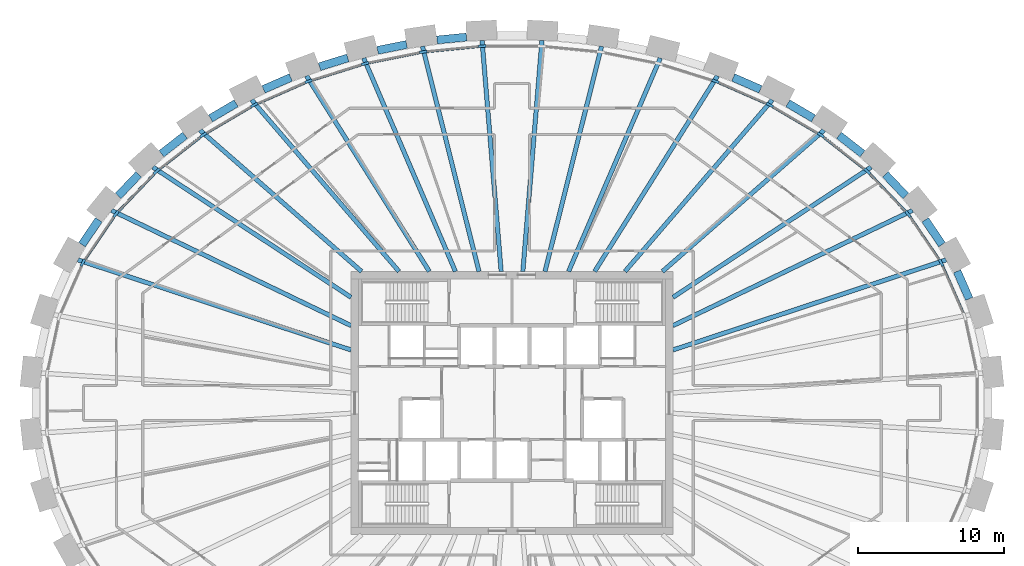
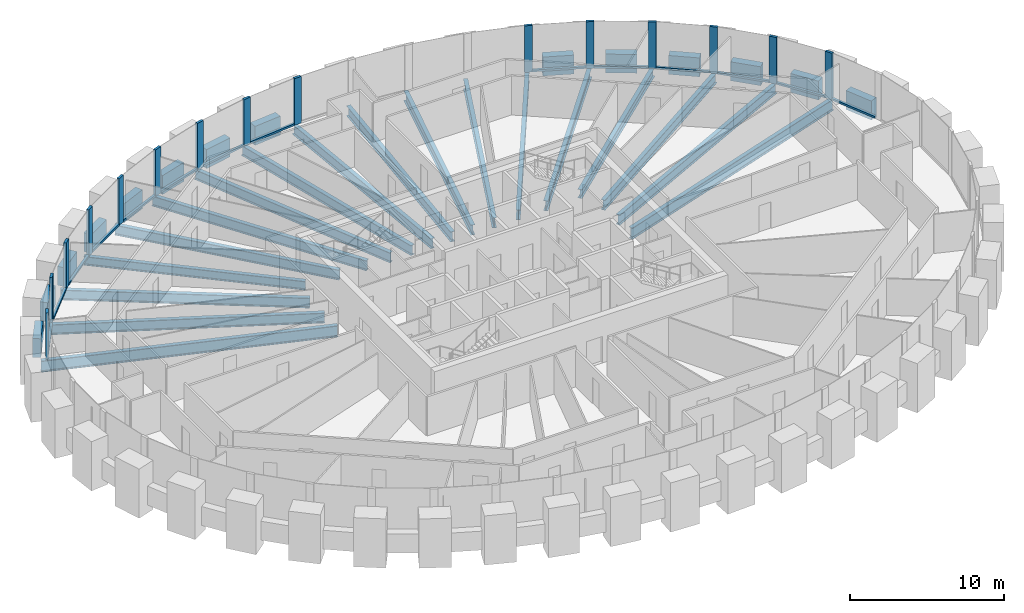
# One storey, part 3 of 12: 32 beams, 29 members, 1 element without a shape of its own.
"""IFC4 building model written with IfcOpenShell, lengths in metres."""

from ifc_helpers import new_model, si_unit, direction, frame, origin, origin_2d, place, context, subcontext, project, spatial, rectangle, i_section, extrude, source, transform, mapped, material, material_profile, profile_set, type_object, element, aggregate, save


model = new_model("IFC4")

# Units and contexts
model_context = context("Model", 3, precision=1e-05, world=origin(), true_north=direction((0.0, 1.0)))
body_context = subcontext(model_context, "Body", "Model", "MODEL_VIEW")
ifc_project = project(units=[si_unit("LENGTHUNIT", "METRE"), si_unit("AREAUNIT", "SQUARE_METRE"), si_unit("VOLUMEUNIT", "CUBIC_METRE"), si_unit("PLANEANGLEUNIT", "RADIAN"), si_unit("MASSUNIT", "GRAM", prefix="KILO")], contexts=[model_context])

# Site, building, storey
site_placement = place(None, origin())
site = spatial("IfcSite", under=ifc_project, at=site_placement, CompositionType="ELEMENT")
building_placement = place(site_placement, origin())
building = spatial("IfcBuilding", under=site, at=building_placement, Name="Embergate Tower", CompositionType="ELEMENT")
storey_placement = place(building_placement, frame((0.0, 0.0, 261.699951171875)))
storey = spatial("IfcBuildingStorey", under=building, at=storey_placement, Name="L60", CompositionType="ELEMENT", Elevation=261.699951171875)

# Beams
ifc_material_1 = material(Name="Concrete C60", Category="concrete")
ifc_material_profile_1 = material_profile(ifc_material_1, rectangle(XDim=0.550048828125, YDim=1.5, at=origin_2d()), Name="RC 550x1500")
ifc_profile_set_1 = profile_set([ifc_material_profile_1], Name="Concrete C60")
beam_type_1 = type_object("IfcBeamType", Name="Spandrel beam RC 550x1500 C60", PredefinedType="BEAM", material=ifc_profile_set_1)
shared_shape_1 = source(origin(), body_context, "Body", "SweptSolid", [
    extrude(rectangle(XDim=0.550048828125, YDim=1.5, at=origin_2d()), origin(), (0.0, 0.0, 1.0), 2.054443359375),
])
beam_1_placement = place(storey_placement, frame((31.264892578125, 7.126953125, 0.0), z_axis=(-0.402021652571, 0.915630160526, 0.0), x_axis=(-0.915630160526, -0.402021652571, 0.0)))
element("IfcBeam", 1, at=beam_1_placement, inside=storey, type_object=beam_type_1, Name="SPN-L60-01", PredefinedType="BEAM", context=body_context, shape_type="MappedRepresentation", body=[
    mapped(shared_shape_1, transform((0.0, 0.0, 0.0))),
])
shared_shape_2 = source(origin(), body_context, "Body", "SweptSolid", [
    extrude(rectangle(XDim=0.550048828125, YDim=1.5, at=origin_2d()), origin(), (0.0, 0.0, 1.0), 2.046630859375),
])
for number, where, z_axis, x_axis, name in (
    (2, (29.405029296875, 10.8359375, 0.0), (-0.562466632366, 0.826819984927, 0.0), (-0.826819984927, -0.562466632366, 0.0), "SPN-L60-02"),
    (3, (-28.25390625, 12.528076171875, 0.0), (-0.562466632366, -0.826819984927, 0.0), (0.826819984927, -0.562466632366, 0.0), "SPN-L60-18"),
):
    element("IfcBeam", number, at=place(storey_placement, frame(where, z_axis=z_axis, x_axis=x_axis)), inside=storey, type_object=beam_type_1, Name=name, PredefinedType="BEAM", context=body_context, shape_type="MappedRepresentation", body=[
        mapped(shared_shape_2, transform((0.0, 0.0, 0.0))),
    ])
shared_shape_3 = source(origin(), body_context, "Body", "SweptSolid", [
    extrude(rectangle(XDim=0.550048828125, YDim=1.5, at=origin_2d()), origin(), (0.0, 0.0, 1.0), 2.042724609375),
])
for number, where, z_axis, x_axis, name in (
    (4, (26.93505859375, 14.160888671875, 0.0), (-0.690299494905, 0.723523743448, 0.0), (-0.723523743448, -0.690299494905, 0.0), "SPN-L60-03"),
    (5, (-25.52490234375, 15.638916015625, 0.0), (-0.690299494905, -0.723523743448, 0.0), (0.723523743448, -0.690299494905, 0.0), "SPN-L60-17"),
):
    element("IfcBeam", number, at=place(storey_placement, frame(where, z_axis=z_axis, x_axis=x_axis)), inside=storey, type_object=beam_type_1, Name=name, PredefinedType="BEAM", context=body_context, shape_type="MappedRepresentation", body=[
        mapped(shared_shape_3, transform((0.0, 0.0, 0.0))),
    ])
shared_shape_4 = source(origin(), body_context, "Body", "SweptSolid", [
    extrude(rectangle(XDim=0.550048828125, YDim=1.5, at=origin_2d()), origin(), (0.0, 0.0, 1.0), 2.038330078125),
])
for number, where, z_axis, x_axis, name in (
    (6, (23.968994140625, 17.049072265625, 0.0), (-0.78838379352, 0.615183707615, 0.0), (-0.615183707615, -0.78838379352, 0.0), "SPN-L60-04"),
    (7, (-22.362060546875, 18.302978515625, 0.0), (-0.78838379352, -0.615183707615, 0.0), (0.615183707615, -0.78838379352, 0.0), "SPN-L60-16"),
):
    element("IfcBeam", number, at=place(storey_placement, frame(where, z_axis=z_axis, x_axis=x_axis)), inside=storey, type_object=beam_type_1, Name=name, PredefinedType="BEAM", context=body_context, shape_type="MappedRepresentation", body=[
        mapped(shared_shape_4, transform((0.0, 0.0, 0.0))),
    ])
shared_shape_5 = source(origin(), body_context, "Body", "SweptSolid", [
    extrude(rectangle(XDim=0.550048828125, YDim=1.5, at=origin_2d()), origin(), (0.0, 0.0, 1.0), 2.0322265625),
])
for number, where, z_axis, x_axis, name in (
    (8, (20.614013671875, 19.467041015625, 0.0), (-0.862048455152, 0.50682586849, 0.0), (-0.50682586849, -0.862048455152, 0.0), "SPN-L60-05"),
    (9, (-18.862060546875, 20.4970703125, 0.0), (-0.862048455152, -0.50682586849, 0.0), (0.50682586849, -0.862048455152, 0.0), "SPN-L60-15"),
):
    element("IfcBeam", number, at=place(storey_placement, frame(where, z_axis=z_axis, x_axis=x_axis)), inside=storey, type_object=beam_type_1, Name=name, PredefinedType="BEAM", context=body_context, shape_type="MappedRepresentation", body=[
        mapped(shared_shape_5, transform((0.0, 0.0, 0.0))),
    ])
shared_shape_6 = source(origin(), body_context, "Body", "SweptSolid", [
    extrude(rectangle(XDim=0.550048828125, YDim=1.5, at=origin_2d()), origin(), (0.0, 0.0, 1.0), 2.03076171875),
])
for number, where, z_axis, x_axis, name in (
    (10, (16.991943359375, 21.451904296875, 0.0), (-0.916361402872, 0.400352069216, 0.0), (-0.400352069216, -0.916361402872, 0.0), "SPN-L60-06"),
    (11, (-15.131103515625, 22.264892578125, 0.0), (-0.916361402872, -0.400352069216, 0.0), (0.400352069216, -0.916361402872, 0.0), "SPN-L60-14"),
):
    element("IfcBeam", number, at=place(storey_placement, frame(where, z_axis=z_axis, x_axis=x_axis)), inside=storey, type_object=beam_type_1, Name=name, PredefinedType="BEAM", context=body_context, shape_type="MappedRepresentation", body=[
        mapped(shared_shape_6, transform((0.0, 0.0, 0.0))),
    ])
shared_shape_7 = source(origin(), body_context, "Body", "SweptSolid", [
    extrude(rectangle(XDim=0.550048828125, YDim=1.5, at=origin_2d()), origin(), (0.0, 0.0, 1.0), 2.02880859375),
])
beam_2_placement = place(storey_placement, frame((-11.22705078125, 23.60205078125, 0.0), z_axis=(-0.954800624546, -0.297246980417, 0.0), x_axis=(0.297246980417, -0.954800624546, 0.0)))
element("IfcBeam", 12, at=beam_2_placement, inside=storey, type_object=beam_type_1, Name="SPN-L60-13", PredefinedType="BEAM", context=body_context, shape_type="MappedRepresentation", body=[
    mapped(shared_shape_7, transform((0.0, 0.0, 0.0))),
])
shared_shape_8 = source(origin(), body_context, "Body", "SweptSolid", [
    extrude(rectangle(XDim=0.550048828125, YDim=1.5, at=origin_2d()), origin(), (0.0, 0.0, 1.0), 2.02734375),
])
beam_3_placement = place(storey_placement, frame((-7.2041015625, 24.52001953125, 0.0), z_axis=(-0.980543602706, -0.196301409041, 0.0), x_axis=(0.196301409041, -0.980543602706, 0.0)))
element("IfcBeam", 13, at=beam_3_placement, inside=storey, type_object=beam_type_1, Name="SPN-L60-12", PredefinedType="BEAM", context=body_context, shape_type="MappedRepresentation", body=[
    mapped(shared_shape_8, transform((0.0, 0.0, 0.0))),
])
shared_shape_9 = source(origin(), body_context, "Body", "SweptSolid", [
    extrude(rectangle(XDim=0.550048828125, YDim=1.5, at=origin_2d()), origin(), (0.0, 0.0, 1.0), 2.025634765625),
])
beam_4_placement = place(storey_placement, frame((-3.111083984375, 25.028076171875, 0.0), z_axis=(-0.995211067802, -0.097749324935, 0.0), x_axis=(0.097749324935, -0.995211067802, 0.0)))
element("IfcBeam", 14, at=beam_4_placement, inside=storey, type_object=beam_type_1, Name="SPN-L60-11", PredefinedType="BEAM", context=body_context, shape_type="MappedRepresentation", body=[
    mapped(shared_shape_9, transform((0.0, 0.0, 0.0))),
])
ifc_material_2 = material(Name="Steel Q355B", Category="steel")
ifc_material_profile_2 = material_profile(ifc_material_2, i_section(OverallWidth=0.300048828125, OverallDepth=0.89990234375, WebThickness=0.01611328125, FlangeThickness=0.028076171875, FilletRadius=0.028076171875, at=origin_2d()), Name="HN 900x300x16x28")
ifc_profile_set_2 = profile_set([ifc_material_profile_2], Name="Steel Q355 grade B")
beam_type_2 = type_object("IfcBeamType", Name="Radial girder HN 900x300x16x28", PredefinedType="BEAM", material=ifc_profile_set_2)
shared_shape_10 = source(origin(), body_context, "Body", "SweptSolid", [
    extrude(i_section(OverallWidth=0.300048828125, OverallDepth=0.89990234375, WebThickness=0.01611328125, FlangeThickness=0.028076171875, FilletRadius=0.028076171875, at=origin_2d()), origin(), (0.0, 0.0, 1.0), 19.67578125),
])
for number, where, z_axis, x_axis, name in (
    (15, (29.68603515625, 9.7900390625, -0.64990234375), (-0.949693396369, -0.313181182215, 0.0), (0.313181182215, -0.949693396369, 0.0), "GIR-L60-02"),
    (16, (-29.68603515625, 9.7900390625, -0.64990234375), (0.949693396369, -0.313181182215, 0.0), (0.313181182215, 0.949693396369, 0.0), "GIR-L60-19"),
):
    element("IfcBeam", number, at=place(storey_placement, frame(where, z_axis=z_axis, x_axis=x_axis)), inside=storey, type_object=beam_type_2, Name=name, PredefinedType="BEAM", context=body_context, shape_type="MappedRepresentation", body=[
        mapped(shared_shape_10, transform((0.0, 0.0, 0.0))),
    ])
ifc_material_profile_3 = material_profile(ifc_material_2, i_section(OverallWidth=0.300048828125, OverallDepth=0.800048828125, WebThickness=0.013916015625, FlangeThickness=0.02587890625, FilletRadius=0.028076171875, at=origin_2d()), Name="HN 800x300x14x26")
ifc_profile_set_3 = profile_set([ifc_material_profile_3], Name="Steel Q355 grade B")
beam_type_3 = type_object("IfcBeamType", Name="Radial girder HN 800x300x14x26", PredefinedType="BEAM", material=ifc_profile_set_3)
shared_shape_11 = source(origin(), body_context, "Body", "SweptSolid", [
    extrude(i_section(OverallWidth=0.300048828125, OverallDepth=0.800048828125, WebThickness=0.013916015625, FlangeThickness=0.02587890625, FilletRadius=0.028076171875, at=origin_2d()), origin(), (0.0, 0.0, 1.0), 18.182373046875),
])
for number, where, z_axis, x_axis, name in (
    (17, (27.385009765625, 13.174072265625, -0.599853515625), (-0.901152068073, -0.433503114415, 0.0), (0.433503114415, -0.901152068073, 0.0), "GIR-L60-03"),
    (18, (-27.385009765625, 13.174072265625, -0.599853515625), (0.901152068073, -0.433503114415, 0.0), (0.433503114415, 0.901152068073, 0.0), "GIR-L60-18"),
):
    element("IfcBeam", number, at=place(storey_placement, frame(where, z_axis=z_axis, x_axis=x_axis)), inside=storey, type_object=beam_type_3, Name=name, PredefinedType="BEAM", context=body_context, shape_type="MappedRepresentation", body=[
        mapped(shared_shape_11, transform((0.0, 0.0, 0.0))),
    ])
shared_shape_12 = source(origin(), body_context, "Body", "SweptSolid", [
    extrude(i_section(OverallWidth=0.300048828125, OverallDepth=0.800048828125, WebThickness=0.013916015625, FlangeThickness=0.02587890625, FilletRadius=0.028076171875, at=origin_2d()), origin(), (0.0, 0.0, 1.0), 16.224853515625),
])
for number, where, z_axis, x_axis, name in (
    (19, (24.56005859375, 16.135986328125, -0.599853515625), (-0.83576092079, -0.549093510506, 0.0), (0.549093510506, -0.83576092079, 0.0), "GIR-L60-04"),
    (20, (-24.56005859375, 16.135986328125, -0.599853515625), (0.83576092079, -0.549093510506, 0.0), (0.549093510506, 0.83576092079, 0.0), "GIR-L60-17"),
):
    element("IfcBeam", number, at=place(storey_placement, frame(where, z_axis=z_axis, x_axis=x_axis)), inside=storey, type_object=beam_type_3, Name=name, PredefinedType="BEAM", context=body_context, shape_type="MappedRepresentation", body=[
        mapped(shared_shape_12, transform((0.0, 0.0, 0.0))),
    ])
ifc_material_profile_4 = material_profile(ifc_material_2, i_section(OverallWidth=0.300048828125, OverallDepth=0.699951171875, WebThickness=0.012939453125, FlangeThickness=0.02392578125, FilletRadius=0.01806640625, at=origin_2d()), Name="HN 700x300x13x24")
ifc_profile_set_4 = profile_set([ifc_material_profile_4], Name="Steel Q355 grade B")
beam_type_4 = type_object("IfcBeamType", Name="Radial girder HN 700x300x13x24", PredefinedType="BEAM", material=ifc_profile_set_4)
shared_shape_13 = source(origin(), body_context, "Body", "SweptSolid", [
    extrude(i_section(OverallWidth=0.300048828125, OverallDepth=0.699951171875, WebThickness=0.012939453125, FlangeThickness=0.02392578125, FilletRadius=0.01806640625, at=origin_2d()), origin(), (0.0, 0.0, 1.0), 14.66845703125),
])
for number, where, z_axis, x_axis, name in (
    (21, (21.3330078125, 18.656005859375, -0.550048828125), (-0.752770497305, -0.658283053395, 0.0), (0.658283053395, -0.752770497305, 0.0), "GIR-L60-05"),
    (22, (-21.3330078125, 18.656005859375, -0.550048828125), (0.752770497305, -0.658283053395, 0.0), (0.658283053395, 0.752770497305, 0.0), "GIR-L60-16"),
):
    element("IfcBeam", number, at=place(storey_placement, frame(where, z_axis=z_axis, x_axis=x_axis)), inside=storey, type_object=beam_type_4, Name=name, PredefinedType="BEAM", context=body_context, shape_type="MappedRepresentation", body=[
        mapped(shared_shape_13, transform((0.0, 0.0, 0.0))),
    ])
shared_shape_14 = source(origin(), body_context, "Body", "SweptSolid", [
    extrude(i_section(OverallWidth=0.300048828125, OverallDepth=0.800048828125, WebThickness=0.013916015625, FlangeThickness=0.02587890625, FilletRadius=0.028076171875, at=origin_2d()), origin(), (0.0, 0.0, 1.0), 15.462890625),
])
for number, where, z_axis, x_axis, name in (
    (23, (17.802978515625, 20.73095703125, -0.599853515625), (-0.651494533004, -0.75865332891, 0.0), (0.75865332891, -0.651494533004, 0.0), "GIR-L60-06"),
    (24, (-17.802978515625, 20.73095703125, -0.599853515625), (0.651494533004, -0.75865332891, 0.0), (0.75865332891, 0.651494533004, 0.0), "GIR-L60-15"),
):
    element("IfcBeam", number, at=place(storey_placement, frame(where, z_axis=z_axis, x_axis=x_axis)), inside=storey, type_object=beam_type_3, Name=name, PredefinedType="BEAM", context=body_context, shape_type="MappedRepresentation", body=[
        mapped(shared_shape_14, transform((0.0, 0.0, 0.0))),
    ])
shared_shape_15 = source(origin(), body_context, "Body", "SweptSolid", [
    extrude(i_section(OverallWidth=0.300048828125, OverallDepth=0.800048828125, WebThickness=0.013916015625, FlangeThickness=0.02587890625, FilletRadius=0.028076171875, at=origin_2d()), origin(), (0.0, 0.0, 1.0), 15.791015625),
])
for number, where, z_axis, x_axis, name in (
    (25, (14.051025390625, 22.3720703125, -0.599853515625), (-0.531882110567, -0.846818410557, 0.0), (0.846818410557, -0.531882110567, 0.0), "GIR-L60-07"),
    (26, (-14.051025390625, 22.3720703125, -0.599853515625), (0.531882110567, -0.846818410557, 0.0), (0.846818410557, 0.531882110567, 0.0), "GIR-L60-14"),
):
    element("IfcBeam", number, at=place(storey_placement, frame(where, z_axis=z_axis, x_axis=x_axis)), inside=storey, type_object=beam_type_3, Name=name, PredefinedType="BEAM", context=body_context, shape_type="MappedRepresentation", body=[
        mapped(shared_shape_15, transform((0.0, 0.0, 0.0))),
    ])
shared_shape_16 = source(origin(), body_context, "Body", "SweptSolid", [
    extrude(i_section(OverallWidth=0.300048828125, OverallDepth=0.800048828125, WebThickness=0.013916015625, FlangeThickness=0.02587890625, FilletRadius=0.028076171875, at=origin_2d()), origin(), (0.0, 0.0, 1.0), 15.881103515625),
])
for number, where, z_axis, x_axis, name in (
    (27, (10.14111328125, 23.590087890625, -0.599853515625), (-0.394946920714, -0.918703940243, 0.0), (0.918703940243, -0.394946920714, 0.0), "GIR-L60-08"),
    (28, (-10.14111328125, 23.590087890625, -0.599853515625), (0.394946920714, -0.918703940243, 0.0), (0.918703940243, 0.394946920714, 0.0), "GIR-L60-13"),
):
    element("IfcBeam", number, at=place(storey_placement, frame(where, z_axis=z_axis, x_axis=x_axis)), inside=storey, type_object=beam_type_3, Name=name, PredefinedType="BEAM", context=body_context, shape_type="MappedRepresentation", body=[
        mapped(shared_shape_16, transform((0.0, 0.0, 0.0))),
    ])
shared_shape_17 = source(origin(), body_context, "Body", "SweptSolid", [
    extrude(i_section(OverallWidth=0.300048828125, OverallDepth=0.800048828125, WebThickness=0.013916015625, FlangeThickness=0.02587890625, FilletRadius=0.028076171875, at=origin_2d()), origin(), (0.0, 0.0, 1.0), 15.872802734375),
])
for number, where, z_axis, x_axis, name in (
    (29, (6.1240234375, 24.39501953125, -0.599853515625), (-0.243498181484, -0.969901353548, 0.0), (0.969901353548, -0.243498181484, 0.0), "GIR-L60-09"),
    (30, (-6.1240234375, 24.39501953125, -0.599853515625), (0.243498181484, -0.969901353548, 0.0), (0.969901353548, 0.243498181484, 0.0), "GIR-L60-12"),
):
    element("IfcBeam", number, at=place(storey_placement, frame(where, z_axis=z_axis, x_axis=x_axis)), inside=storey, type_object=beam_type_3, Name=name, PredefinedType="BEAM", context=body_context, shape_type="MappedRepresentation", body=[
        mapped(shared_shape_17, transform((0.0, 0.0, 0.0))),
    ])
shared_shape_18 = source(origin(), body_context, "Body", "SweptSolid", [
    extrude(i_section(OverallWidth=0.300048828125, OverallDepth=0.800048828125, WebThickness=0.013916015625, FlangeThickness=0.02587890625, FilletRadius=0.028076171875, at=origin_2d()), origin(), (0.0, 0.0, 1.0), 15.849609375),
])
for number, where, z_axis, x_axis, name in (
    (31, (2.048095703125, 24.7958984375, -0.599853515625), (-0.082346886075, -0.996603727845, 0.0), (0.996603727845, -0.082346886075, 0.0), "GIR-L60-10"),
    (32, (-2.048095703125, 24.7958984375, -0.599853515625), (0.082346886075, -0.996603727845, 0.0), (0.996603727845, 0.082346886075, 0.0), "GIR-L60-11"),
):
    element("IfcBeam", number, at=place(storey_placement, frame(where, z_axis=z_axis, x_axis=x_axis)), inside=storey, type_object=beam_type_3, Name=name, PredefinedType="BEAM", context=body_context, shape_type="MappedRepresentation", body=[
        mapped(shared_shape_18, transform((0.0, 0.0, 0.0))),
    ])

# Curtain wall, members
ifc_material_3 = material(Name="Aluminium and glass", Category="aluminium")
curtain_wall_type = type_object("IfcCurtainWallType", Name="Recessed office glazing", PredefinedType="NOTDEFINED", material=ifc_material_3)
curtain_wall_placement = place(storey_placement, origin())
curtain_wall = element("IfcCurtainWall", 33, at=curtain_wall_placement, inside=storey, type_object=curtain_wall_type, Name="Recessed office glazing ring", ObjectType="RECESSED OFFICE GLAZING", PredefinedType="USERDEFINED")
ifc_material_4 = material(Name="Aluminium, thermally broken", Category="aluminium")
ifc_material_profile_5 = material_profile(ifc_material_4, rectangle(XDim=0.179931640625, YDim=0.52001953125, at=origin_2d()), Name="AL 520x180")
ifc_profile_set_5 = profile_set([ifc_material_profile_5], Name="Aluminium, thermally broken")
member_type_1 = type_object("IfcMemberType", Name="Office mullion", PredefinedType="MULLION", material=ifc_profile_set_5)
shared_shape_19 = source(origin(), body_context, "Body", "SweptSolid", [
    extrude(rectangle(XDim=0.179931640625, YDim=0.52001953125, at=origin_2d()), origin(), (0.0, 0.0, 1.0), 3.699951171875),
])
member_1_placement = place(storey_placement, frame((29.34619140625, 9.600341796875, 0.0), z_axis=(0.0, 0.0, 1.0), x_axis=(-0.874994291193, -0.484133236186, 0.0)))
member_1 = element("IfcMember", 34, at=member_1_placement, type_object=member_type_1, Name="CW mullion 3", PredefinedType="MULLION", context=body_context, shape_type="MappedRepresentation", body=[
    mapped(shared_shape_19, transform((0.0, 0.0, 0.0))),
])
member_2_placement = place(storey_placement, frame((27.0830078125, 12.92822265625, 0.0), z_axis=(0.0, 0.0, 1.0), x_axis=(-0.777863789852, -0.628432911643, 0.0)))
member_2 = element("IfcMember", 35, at=member_2_placement, type_object=member_type_1, Name="CW mullion 4", PredefinedType="MULLION", context=body_context, shape_type="MappedRepresentation", body=[
    mapped(shared_shape_19, transform((0.0, 0.0, 0.0))),
])
member_3_placement = place(storey_placement, frame((24.299560546875, 15.846923828125, 0.0), z_axis=(0.0, 0.0, 1.0), x_axis=(-0.671217477801, -0.741260478843, 0.0)))
member_3 = element("IfcMember", 36, at=member_3_placement, type_object=member_type_1, Name="CW mullion 5", PredefinedType="MULLION", context=body_context, shape_type="MappedRepresentation", body=[
    mapped(shared_shape_19, transform((0.0, 0.0, 0.0))),
])
member_4_placement = place(storey_placement, frame((21.1142578125, 18.3330078125, 0.0), z_axis=(0.0, 0.0, 1.0), x_axis=(-0.562208958301, -0.826995215951, 0.0)))
member_4 = element("IfcMember", 37, at=member_4_placement, type_object=member_type_1, Name="CW mullion 6", PredefinedType="MULLION", context=body_context, shape_type="MappedRepresentation", body=[
    mapped(shared_shape_19, transform((0.0, 0.0, 0.0))),
])
member_5_placement = place(storey_placement, frame((17.626220703125, 20.383544921875, 0.0), z_axis=(0.0, 0.0, 1.0), x_axis=(-0.45450516197, -0.8907441034, 0.0)))
member_5 = element("IfcMember", 38, at=member_5_placement, type_object=member_type_1, Name="CW mullion 7", PredefinedType="MULLION", context=body_context, shape_type="MappedRepresentation", body=[
    mapped(shared_shape_19, transform((0.0, 0.0, 0.0))),
])
member_6_placement = place(storey_placement, frame((13.914794921875, 22.006591796875, 0.0), z_axis=(0.0, 0.0, 1.0), x_axis=(-0.349497777064, -0.936937193107, 0.0)))
member_6 = element("IfcMember", 39, at=member_6_placement, type_object=member_type_1, Name="CW mullion 8", PredefinedType="MULLION", context=body_context, shape_type="MappedRepresentation", body=[
    mapped(shared_shape_19, transform((0.0, 0.0, 0.0))),
])
member_7_placement = place(storey_placement, frame((-2.02880859375, 24.406494140625, 0.0), z_axis=(0.0, 0.0, 1.0), x_axis=(0.048970053385, -0.998800247232, 0.0)))
member_7 = element("IfcMember", 40, at=member_7_placement, type_object=member_type_1, Name="CW mullion 12", PredefinedType="MULLION", context=body_context, shape_type="MappedRepresentation", body=[
    mapped(shared_shape_19, transform((0.0, 0.0, 0.0))),
])
member_8_placement = place(storey_placement, frame((-6.06689453125, 24.009521484375, 0.0), z_axis=(0.0, 0.0, 1.0), x_axis=(0.147410656556, -0.989075375456, 0.0)))
member_8 = element("IfcMember", 41, at=member_8_placement, type_object=member_type_1, Name="CW mullion 13", PredefinedType="MULLION", context=body_context, shape_type="MappedRepresentation", body=[
    mapped(shared_shape_19, transform((0.0, 0.0, 0.0))),
])
member_9_placement = place(storey_placement, frame((-10.0439453125, 23.2119140625, 0.0), z_axis=(0.0, 0.0, 1.0), x_axis=(0.247308499144, -0.96893679167, 0.0)))
member_9 = element("IfcMember", 42, at=member_9_placement, type_object=member_type_1, Name="CW mullion 14", PredefinedType="MULLION", context=body_context, shape_type="MappedRepresentation", body=[
    mapped(shared_shape_19, transform((0.0, 0.0, 0.0))),
])
member_10_placement = place(storey_placement, frame((-13.914794921875, 22.006591796875, 0.0), z_axis=(0.0, 0.0, 1.0), x_axis=(0.349497777064, -0.936937193107, 0.0)))
member_10 = element("IfcMember", 43, at=member_10_placement, type_object=member_type_1, Name="CW mullion 15", PredefinedType="MULLION", context=body_context, shape_type="MappedRepresentation", body=[
    mapped(shared_shape_19, transform((0.0, 0.0, 0.0))),
])
member_11_placement = place(storey_placement, frame((-17.626220703125, 20.383544921875, 0.0), z_axis=(0.0, 0.0, 1.0), x_axis=(0.45450516197, -0.8907441034, 0.0)))
member_11 = element("IfcMember", 44, at=member_11_placement, type_object=member_type_1, Name="CW mullion 16", PredefinedType="MULLION", context=body_context, shape_type="MappedRepresentation", body=[
    mapped(shared_shape_19, transform((0.0, 0.0, 0.0))),
])
member_12_placement = place(storey_placement, frame((-21.1142578125, 18.3330078125, 0.0), z_axis=(0.0, 0.0, 1.0), x_axis=(0.562208958301, -0.826995215951, 0.0)))
member_12 = element("IfcMember", 45, at=member_12_placement, type_object=member_type_1, Name="CW mullion 17", PredefinedType="MULLION", context=body_context, shape_type="MappedRepresentation", body=[
    mapped(shared_shape_19, transform((0.0, 0.0, 0.0))),
])
member_13_placement = place(storey_placement, frame((-24.299560546875, 15.846923828125, 0.0), z_axis=(0.0, 0.0, 1.0), x_axis=(0.671217477801, -0.741260478843, 0.0)))
member_13 = element("IfcMember", 46, at=member_13_placement, type_object=member_type_1, Name="CW mullion 18", PredefinedType="MULLION", context=body_context, shape_type="MappedRepresentation", body=[
    mapped(shared_shape_19, transform((0.0, 0.0, 0.0))),
])
member_14_placement = place(storey_placement, frame((-27.0830078125, 12.92822265625, 0.0), z_axis=(0.0, 0.0, 1.0), x_axis=(0.777863789852, -0.628432911643, 0.0)))
member_14 = element("IfcMember", 47, at=member_14_placement, type_object=member_type_1, Name="CW mullion 19", PredefinedType="MULLION", context=body_context, shape_type="MappedRepresentation", body=[
    mapped(shared_shape_19, transform((0.0, 0.0, 0.0))),
])
member_15_placement = place(storey_placement, frame((-29.34619140625, 9.600341796875, 0.0), z_axis=(0.0, 0.0, 1.0), x_axis=(0.874994291193, -0.484133236186, 0.0)))
member_15 = element("IfcMember", 48, at=member_15_placement, type_object=member_type_1, Name="CW mullion 20", PredefinedType="MULLION", context=body_context, shape_type="MappedRepresentation", body=[
    mapped(shared_shape_19, transform((0.0, 0.0, 0.0))),
])
ifc_material_profile_6 = material_profile(ifc_material_4, rectangle(XDim=0.179931640625, YDim=0.14990234375, at=origin_2d()), Name="AL 150x180")
ifc_profile_set_6 = profile_set([ifc_material_profile_6], Name="Aluminium, thermally broken")
member_type_2 = type_object("IfcMemberType", Name="Office sill transom", PredefinedType="USERDEFINED", material=ifc_profile_set_6)
shared_shape_20 = source(origin(), body_context, "Body", "SweptSolid", [
    extrude(rectangle(XDim=0.179931640625, YDim=0.14990234375, at=origin_2d()), origin(), (0.0, 0.0, 1.0), 3.49609375),
])
member_16_placement = place(storey_placement, frame((30.854736328125, 6.16064453125, 0.074951171875), z_axis=(-0.401675879714, 0.915781899612, 0.0), x_axis=(-0.915781899612, -0.401675879714, 0.0)))
member_16 = element("IfcMember", 49, at=member_16_placement, type_object=member_type_2, Name="CW transom 2.1", ObjectType="TRANSOM", PredefinedType="USERDEFINED", context=body_context, shape_type="MappedRepresentation", body=[
    mapped(shared_shape_20, transform((0.0, 0.0, 0.0))),
])
shared_shape_21 = source(origin(), body_context, "Body", "SweptSolid", [
    extrude(rectangle(XDim=0.179931640625, YDim=0.14990234375, at=origin_2d()), origin(), (0.0, 0.0, 1.0), 3.504638671875),
])
member_17_placement = place(storey_placement, frame((29.199951171875, 9.8154296875, 0.074951171875), z_axis=(-0.562376708583, 0.826881150858, 0.0), x_axis=(-0.826881150858, -0.562376708583, 0.0)))
member_17 = element("IfcMember", 50, at=member_17_placement, type_object=member_type_2, Name="CW transom 3.1", ObjectType="TRANSOM", PredefinedType="USERDEFINED", context=body_context, shape_type="MappedRepresentation", body=[
    mapped(shared_shape_21, transform((0.0, 0.0, 0.0))),
])
member_18_placement = place(storey_placement, frame((-27.22900390625, 12.71337890625, 0.074951171875), z_axis=(-0.562376708583, -0.826881150858, 0.0), x_axis=(0.826881150858, -0.562376708583, 0.0)))
member_18 = element("IfcMember", 51, at=member_18_placement, type_object=member_type_2, Name="CW transom 19.1", ObjectType="TRANSOM", PredefinedType="USERDEFINED", context=body_context, shape_type="MappedRepresentation", body=[
    mapped(shared_shape_21, transform((0.0, 0.0, 0.0))),
])
shared_shape_22 = source(origin(), body_context, "Body", "SweptSolid", [
    extrude(rectangle(XDim=0.179931640625, YDim=0.14990234375, at=origin_2d()), origin(), (0.0, 0.0, 1.0), 3.512939453125),
])
member_19_placement = place(storey_placement, frame((26.903564453125, 13.116455078125, 0.074951171875), z_axis=(-0.690159983448, 0.723656822842, 0.0), x_axis=(-0.723656822842, -0.690159983448, 0.0)))
member_19 = element("IfcMember", 52, at=member_19_placement, type_object=member_type_2, Name="CW transom 4.1", ObjectType="TRANSOM", PredefinedType="USERDEFINED", context=body_context, shape_type="MappedRepresentation", body=[
    mapped(shared_shape_22, transform((0.0, 0.0, 0.0))),
])
member_20_placement = place(storey_placement, frame((-24.47900390625, 15.65869140625, 0.074951171875), z_axis=(-0.690159983448, -0.723656822842, 0.0), x_axis=(0.723656822842, -0.690159983448, 0.0)))
member_20 = element("IfcMember", 53, at=member_20_placement, type_object=member_type_2, Name="CW transom 18.1", ObjectType="TRANSOM", PredefinedType="USERDEFINED", context=body_context, shape_type="MappedRepresentation", body=[
    mapped(shared_shape_22, transform((0.0, 0.0, 0.0))),
])
shared_shape_23 = source(origin(), body_context, "Body", "SweptSolid", [
    extrude(rectangle(XDim=0.179931640625, YDim=0.14990234375, at=origin_2d()), origin(), (0.0, 0.0, 1.0), 3.520263671875),
])
member_21_placement = place(storey_placement, frame((24.094482421875, 16.0068359375, 0.074951171875), z_axis=(-0.788309220122, 0.615279264619, 0.0), x_axis=(-0.615279264619, -0.788309220122, 0.0)))
member_21 = element("IfcMember", 54, at=member_21_placement, type_object=member_type_2, Name="CW transom 5.1", ObjectType="TRANSOM", PredefinedType="USERDEFINED", context=body_context, shape_type="MappedRepresentation", body=[
    mapped(shared_shape_23, transform((0.0, 0.0, 0.0))),
])
member_22_placement = place(storey_placement, frame((-21.3193359375, 18.1728515625, 0.074951171875), z_axis=(-0.788309220122, -0.615279264619, 0.0), x_axis=(0.615279264619, -0.788309220122, 0.0)))
member_22 = element("IfcMember", 55, at=member_22_placement, type_object=member_type_2, Name="CW transom 17.1", ObjectType="TRANSOM", PredefinedType="USERDEFINED", context=body_context, shape_type="MappedRepresentation", body=[
    mapped(shared_shape_23, transform((0.0, 0.0, 0.0))),
])
shared_shape_24 = source(origin(), body_context, "Body", "SweptSolid", [
    extrude(rectangle(XDim=0.179931640625, YDim=0.14990234375, at=origin_2d()), origin(), (0.0, 0.0, 1.0), 3.526123046875),
])
member_23_placement = place(storey_placement, frame((20.89013671875, 18.464599609375, 0.074951171875), z_axis=(-0.862058778532, 0.506808309281, 0.0), x_axis=(-0.506808309281, -0.862058778532, 0.0)))
member_23 = element("IfcMember", 56, at=member_23_placement, type_object=member_type_2, Name="CW transom 6.1", ObjectType="TRANSOM", PredefinedType="USERDEFINED", context=body_context, shape_type="MappedRepresentation", body=[
    mapped(shared_shape_24, transform((0.0, 0.0, 0.0))),
])
member_24_placement = place(storey_placement, frame((-17.850341796875, 20.251708984375, 0.074951171875), z_axis=(-0.862058778532, -0.506808309281, 0.0), x_axis=(0.506808309281, -0.862058778532, 0.0)))
member_24 = element("IfcMember", 57, at=member_24_placement, type_object=member_type_2, Name="CW transom 16.1", ObjectType="TRANSOM", PredefinedType="USERDEFINED", context=body_context, shape_type="MappedRepresentation", body=[
    mapped(shared_shape_24, transform((0.0, 0.0, 0.0))),
])
shared_shape_25 = source(origin(), body_context, "Body", "SweptSolid", [
    extrude(rectangle(XDim=0.179931640625, YDim=0.14990234375, at=origin_2d()), origin(), (0.0, 0.0, 1.0), 3.53076171875),
])
member_25_placement = place(storey_placement, frame((17.387939453125, 20.48779296875, 0.074951171875), z_axis=(-0.916241422351, 0.400626579209, 0.0), x_axis=(-0.400626579209, -0.916241422351, 0.0)))
member_25 = element("IfcMember", 58, at=member_25_placement, type_object=member_type_2, Name="CW transom 7.1", ObjectType="TRANSOM", PredefinedType="USERDEFINED", context=body_context, shape_type="MappedRepresentation", body=[
    mapped(shared_shape_25, transform((0.0, 0.0, 0.0))),
])
member_26_placement = place(storey_placement, frame((-14.15283203125, 21.90234375, 0.074951171875), z_axis=(-0.916241422351, -0.400626579209, 0.0), x_axis=(0.400626579209, -0.916241422351, 0.0)))
member_26 = element("IfcMember", 59, at=member_26_placement, type_object=member_type_2, Name="CW transom 15.1", ObjectType="TRANSOM", PredefinedType="USERDEFINED", context=body_context, shape_type="MappedRepresentation", body=[
    mapped(shared_shape_25, transform((0.0, 0.0, 0.0))),
])
shared_shape_26 = source(origin(), body_context, "Body", "SweptSolid", [
    extrude(rectangle(XDim=0.179931640625, YDim=0.14990234375, at=origin_2d()), origin(), (0.0, 0.0, 1.0), 3.5341796875),
])
member_27_placement = place(storey_placement, frame((-10.292236328125, 23.134521484375, 0.074951171875), z_axis=(-0.954775746564, -0.297326880342, 0.0), x_axis=(0.297326880342, -0.954775746564, 0.0)))
member_27 = element("IfcMember", 60, at=member_27_placement, type_object=member_type_2, Name="CW transom 14.1", ObjectType="TRANSOM", PredefinedType="USERDEFINED", context=body_context, shape_type="MappedRepresentation", body=[
    mapped(shared_shape_26, transform((0.0, 0.0, 0.0))),
])
shared_shape_27 = source(origin(), body_context, "Body", "SweptSolid", [
    extrude(rectangle(XDim=0.179931640625, YDim=0.14990234375, at=origin_2d()), origin(), (0.0, 0.0, 1.0), 3.5361328125),
])
member_28_placement = place(storey_placement, frame((-6.322021484375, 23.95849609375, 0.074951171875), z_axis=(-0.980463661571, -0.196700300811, 0.0), x_axis=(0.196700300811, -0.980463661571, 0.0)))
member_28 = element("IfcMember", 61, at=member_28_placement, type_object=member_type_2, Name="CW transom 13.1", ObjectType="TRANSOM", PredefinedType="USERDEFINED", context=body_context, shape_type="MappedRepresentation", body=[
    mapped(shared_shape_27, transform((0.0, 0.0, 0.0))),
])
shared_shape_28 = source(origin(), body_context, "Body", "SweptSolid", [
    extrude(rectangle(XDim=0.179931640625, YDim=0.14990234375, at=origin_2d()), origin(), (0.0, 0.0, 1.0), 3.53759765625),
])
member_29_placement = place(storey_placement, frame((-2.28759765625, 24.381103515625, 0.074951171875), z_axis=(-0.99519983538, -0.097863617654, 0.0), x_axis=(0.097863617654, -0.99519983538, 0.0)))
member_29 = element("IfcMember", 62, at=member_29_placement, type_object=member_type_2, Name="CW transom 12.1", ObjectType="TRANSOM", PredefinedType="USERDEFINED", context=body_context, shape_type="MappedRepresentation", body=[
    mapped(shared_shape_28, transform((0.0, 0.0, 0.0))),
])
aggregate(curtain_wall, [member_1, member_2, member_3, member_4, member_5, member_6, member_7, member_8, member_9, member_10, member_11, member_12, member_13, member_14, member_15, member_16, member_17, member_19, member_21, member_23, member_25, member_29, member_28, member_27, member_26, member_24, member_22, member_20, member_18])

save(model, "model.ifc")
